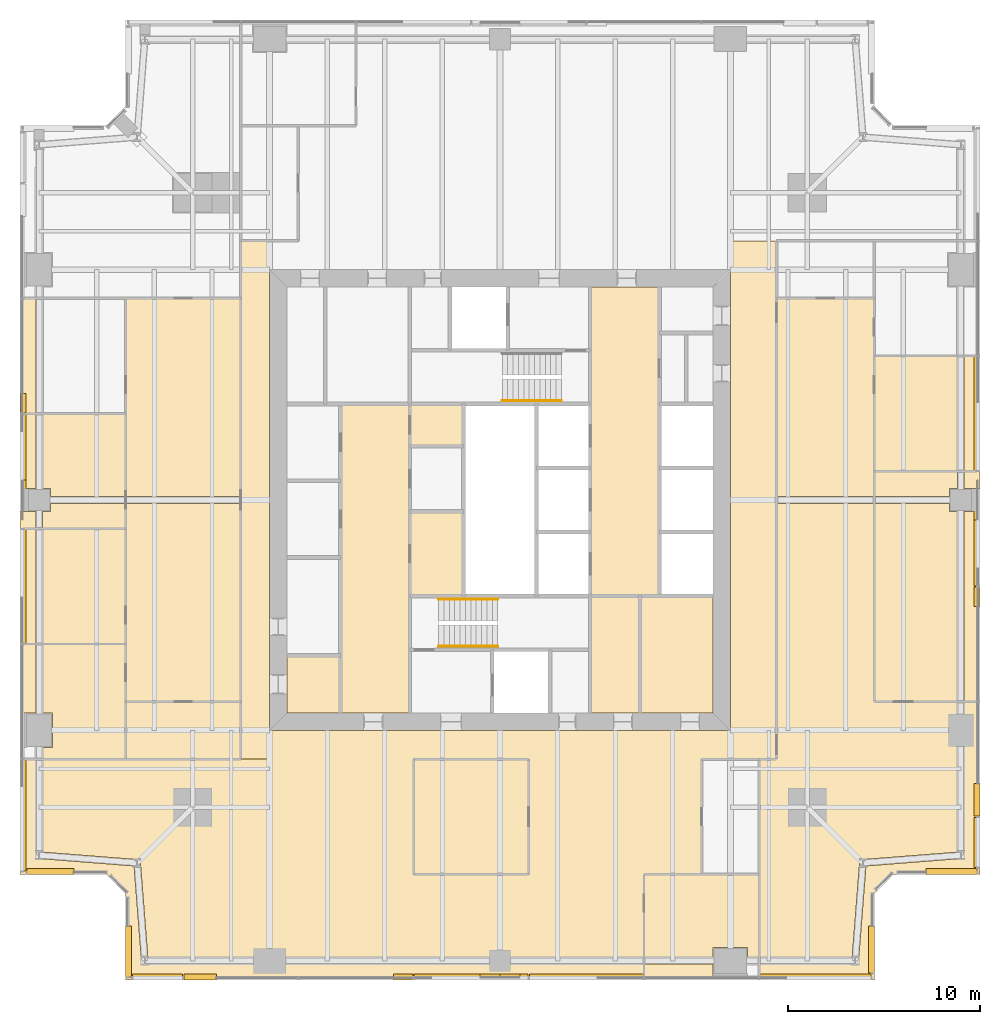
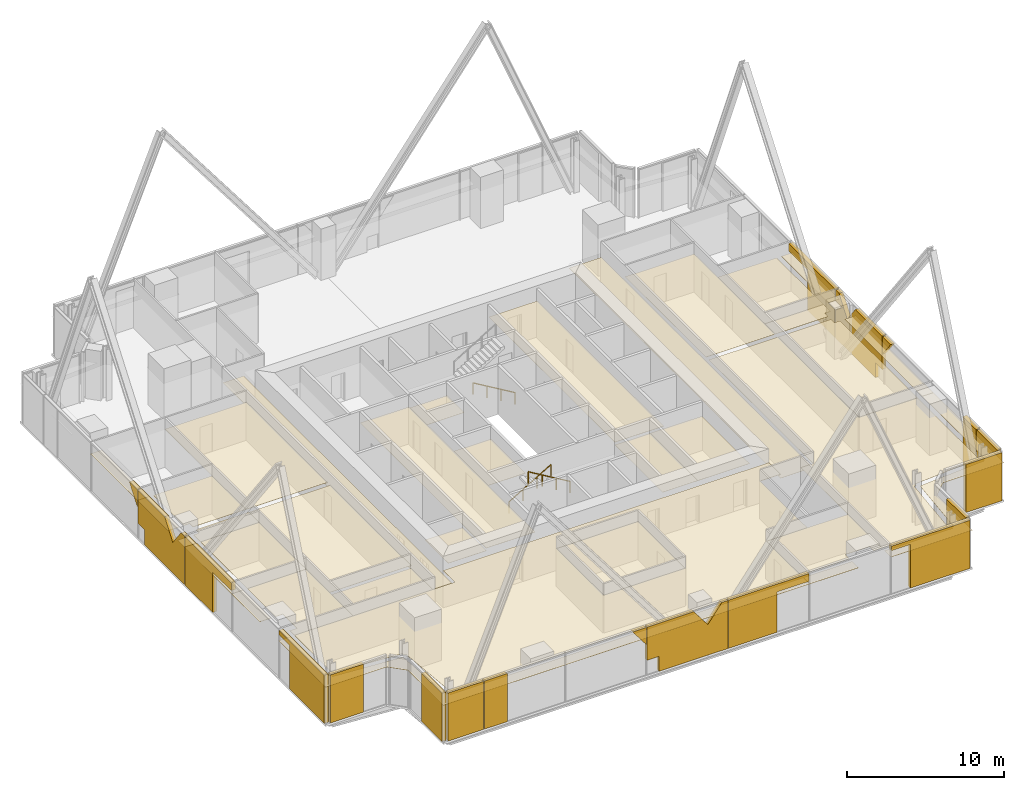
# One storey, part 13 of 14: 54 coverings, 3 railings.
"""IFC4 building model written with IfcOpenShell, lengths in metres."""

from ifc_helpers import new_model, si_unit, direction, frame, origin, origin_2d, place, context, subcontext, project, spatial, polyline, circle, outline, extrude, material, layer, layer_set, type_object, element, save


model = new_model("IFC4")

# Units and contexts
model_context = context("Model", 3, precision=1e-05, world=origin(), true_north=direction((0.0, 1.0)))
body_context = subcontext(model_context, "Body", "Model", "MODEL_VIEW")
ifc_project = project(units=[si_unit("LENGTHUNIT", "METRE"), si_unit("AREAUNIT", "SQUARE_METRE"), si_unit("VOLUMEUNIT", "CUBIC_METRE"), si_unit("PLANEANGLEUNIT", "RADIAN"), si_unit("MASSUNIT", "GRAM", prefix="KILO")], contexts=[model_context])

# Site, building, storey
site_placement = place(None, origin())
site = spatial("IfcSite", under=ifc_project, at=site_placement, CompositionType="ELEMENT")
building_placement = place(site_placement, origin())
building = spatial("IfcBuilding", under=site, at=building_placement, Name="Fenwick Lantern Interchange", CompositionType="ELEMENT")
storey_placement = place(building_placement, frame((0.0, 0.0, 217.800048828125)))
storey = spatial("IfcBuildingStorey", under=building, at=storey_placement, Name="L51", CompositionType="ELEMENT", Elevation=217.800048828125)

# Coverings
ifc_material_1 = material(Name="Mineral fibre acoustic tile on suspended grid")
ifc_layer_1 = layer(ifc_material_1, 0.02001953125)
ifc_layer_set_1 = layer_set([ifc_layer_1], Name="ACOUSTIC TILE CEILING 20")
covering_type_1 = type_object("IfcCoveringType", Name="ACOUSTIC TILE CEILING 20", PredefinedType="CEILING", material=ifc_layer_set_1)
covering_1_placement = place(storey_placement, frame((0.0, 0.0, 2.699951171875)))
element("IfcCovering", 1, at=covering_1_placement, inside=storey, type_object=covering_type_1, Name="Mail room ceiling", PredefinedType="CEILING", context=body_context, shape_type="SweptSolid", body=[
    extrude(outline(polyline([(20.300048828125, 20.0), (23.10009765625, 20.0), (23.10009765625, 24.39990234375), (20.300048828125, 24.39990234375), (20.300048828125, 20.0)])), origin(), (0.0, 0.0, 1.0), 0.02001953125),
])
covering_2_placement = place(storey_placement, frame((0.0, 0.0, 2.89990234375)))
element("IfcCovering", 2, at=covering_2_placement, inside=storey, type_object=covering_type_1, Name="Open office ceiling", PredefinedType="CEILING", context=body_context, shape_type="SweptSolid", body=[
    extrude(outline(polyline([(32.5, 5.5), (35.5, 5.5), (35.5, 11.5), (37.0, 11.5), (37.0, 13.0), (13.0, 13.0), (13.0, 11.5), (1.17236328125, 11.5), (1.17236328125, 6.659423828125), (6.113525390625, 6.27197265625), (6.10009765625, 6.10009765625), (6.27197265625, 6.113525390625), (6.659423828125, 1.17236328125), (13.0, 1.17236328125), (25.0, 1.17236328125), (32.5, 1.17236328125), (32.5, 5.5)]), holes=[polyline([(20.5, 11.5), (26.5, 11.5), (26.5, 5.5), (20.5, 5.5), (20.5, 11.5)])]), origin(), (0.0, 0.0, 1.0), 0.02001953125),
])
covering_3_placement = place(storey_placement, frame((0.0, 0.0, 2.89990234375)))
element("IfcCovering", 3, at=covering_3_placement, inside=storey, type_object=covering_type_1, Name="Open office ceiling", PredefinedType="CEILING", context=body_context, shape_type="SweptSolid", body=[
    extrude(outline(polyline([(32.5, 0.0), (32.5, 0.82763671875), (25.0, 0.82763671875), (13.0, 0.82763671875), (6.5, 0.82763671875), (6.5, 1.0), (6.328125, 0.986572265625), (5.939697265625, 5.939697265625), (0.986572265625, 6.328125), (1.0, 6.5), (0.82763671875, 6.5), (0.82763671875, 11.5), (0.0, 11.5), (0.0, 5.5), (4.5, 5.5), (5.5, 4.5), (5.5, 0.0), (32.5, 0.0)])), origin(), (0.0, 0.0, 1.0), 0.02001953125),
])
covering_4_placement = place(storey_placement, frame((0.0, 0.0, 2.89990234375)))
element("IfcCovering", 4, at=covering_4_placement, inside=storey, type_object=covering_type_1, Name="Meeting room ceiling", PredefinedType="CEILING", context=body_context, shape_type="SweptSolid", body=[
    extrude(outline(polyline([(20.5, 5.5), (26.5, 5.5), (26.5, 11.5), (20.5, 11.5), (20.5, 5.5)])), origin(), (0.0, 0.0, 1.0), 0.02001953125),
])
covering_5_placement = place(storey_placement, frame((0.0, 0.0, 2.89990234375)))
element("IfcCovering", 5, at=covering_5_placement, inside=storey, type_object=covering_type_1, Name="Office ceiling", PredefinedType="CEILING", context=body_context, shape_type="SweptSolid", body=[
    extrude(outline(polyline([(32.5, 5.5), (32.5, 1.17236328125), (36.10009765625, 1.17236328125), (36.10009765625, 1.699951171875), (37.89990234375, 1.699951171875), (37.89990234375, 1.17236328125), (38.5, 1.17236328125), (38.5, 5.5), (32.5, 5.5)])), origin(), (0.0, 0.0, 1.0), 0.02001953125),
])
covering_6_placement = place(storey_placement, frame((0.0, 0.0, 2.89990234375)))
element("IfcCovering", 6, at=covering_6_placement, inside=storey, type_object=covering_type_1, Name="Office ceiling", PredefinedType="CEILING", context=body_context, shape_type="SweptSolid", body=[
    extrude(outline(polyline([(32.5, 0.82763671875), (32.5, 0.0), (36.10009765625, 0.0), (36.10009765625, 0.82763671875), (32.5, 0.82763671875)])), origin(), (0.0, 0.0, 1.0), 0.02001953125),
])
covering_7_placement = place(storey_placement, frame((0.0, 0.0, 2.89990234375)))
element("IfcCovering", 7, at=covering_7_placement, inside=storey, type_object=covering_type_1, Name="Board meeting room ceiling", PredefinedType="CEILING", context=body_context, shape_type="SweptSolid", body=[
    extrude(outline(polyline([(44.5, 24.824951171875), (44.5, 14.5), (48.82763671875, 14.5), (48.82763671875, 24.39990234375), (48.39990234375, 24.39990234375), (48.39990234375, 24.824951171875), (44.5, 24.824951171875)])), origin(), (0.0, 0.0, 1.0), 0.02001953125),
])
covering_8_placement = place(storey_placement, frame((0.0, 0.0, 2.89990234375)))
element("IfcCovering", 8, at=covering_8_placement, inside=storey, type_object=covering_type_1, Name="Board meeting room ceiling", PredefinedType="CEILING", context=body_context, shape_type="SweptSolid", body=[
    extrude(outline(polyline([(50.0, 24.39990234375), (49.17236328125, 24.39990234375), (49.17236328125, 14.5), (50.0, 14.5), (50.0, 24.39990234375)])), origin(), (0.0, 0.0, 1.0), 0.02001953125),
])
covering_9_placement = place(storey_placement, frame((0.0, 0.0, 2.89990234375)))
element("IfcCovering", 9, at=covering_9_placement, inside=storey, type_object=covering_type_1, Name="Board meeting room ceiling", PredefinedType="CEILING", context=body_context, shape_type="SweptSolid", body=[
    extrude(outline(polyline([(44.5, 26.5), (44.5, 25.175048828125), (48.39990234375, 25.175048828125), (48.39990234375, 25.60009765625), (48.82763671875, 25.60009765625), (48.82763671875, 26.5), (44.5, 26.5)])), origin(), (0.0, 0.0, 1.0), 0.02001953125),
])
covering_10_placement = place(storey_placement, frame((0.0, 0.0, 2.89990234375)))
element("IfcCovering", 10, at=covering_10_placement, inside=storey, type_object=covering_type_1, Name="Board meeting room ceiling", PredefinedType="CEILING", context=body_context, shape_type="SweptSolid", body=[
    extrude(outline(polyline([(50.0, 26.5), (49.17236328125, 26.5), (49.17236328125, 25.60009765625), (50.0, 25.60009765625), (50.0, 26.5)])), origin(), (0.0, 0.0, 1.0), 0.02001953125),
])
covering_11_placement = place(storey_placement, frame((0.0, 0.0, 2.89990234375)))
element("IfcCovering", 11, at=covering_11_placement, inside=storey, type_object=covering_type_1, Name="Office ceiling", PredefinedType="CEILING", context=body_context, shape_type="SweptSolid", body=[
    extrude(outline(polyline([(44.5, 26.5), (48.82763671875, 26.5), (48.82763671875, 32.5), (44.5, 32.5), (44.5, 26.5)])), origin(), (0.0, 0.0, 1.0), 0.02001953125),
])
covering_12_placement = place(storey_placement, frame((0.0, 0.0, 2.89990234375)))
element("IfcCovering", 12, at=covering_12_placement, inside=storey, type_object=covering_type_1, Name="Office ceiling", PredefinedType="CEILING", context=body_context, shape_type="SweptSolid", body=[
    extrude(outline(polyline([(50.0, 32.5), (49.17236328125, 32.5), (49.17236328125, 26.5), (50.0, 26.5), (50.0, 32.5)])), origin(), (0.0, 0.0, 1.0), 0.02001953125),
])
covering_13_placement = place(storey_placement, frame((0.0, 0.0, 2.89990234375)))
element("IfcCovering", 13, at=covering_13_placement, inside=storey, type_object=covering_type_1, Name="Open office ceiling", PredefinedType="CEILING", context=body_context, shape_type="SweptSolid", body=[
    extrude(outline(polyline([(11.5, 14.5), (11.5, 24.824951171875), (5.5, 24.824951171875), (5.5, 14.5), (11.5, 14.5)])), origin(), (0.0, 0.0, 1.0), 0.02001953125),
])
covering_14_placement = place(storey_placement, frame((0.0, 0.0, 2.89990234375)))
element("IfcCovering", 14, at=covering_14_placement, inside=storey, type_object=covering_type_1, Name="Open office ceiling", PredefinedType="CEILING", context=body_context, shape_type="SweptSolid", body=[
    extrude(outline(polyline([(11.5, 25.175048828125), (11.5, 35.5), (5.5, 35.5), (5.5, 25.175048828125), (11.5, 25.175048828125)])), origin(), (0.0, 0.0, 1.0), 0.02001953125),
])
covering_15_placement = place(storey_placement, frame((0.0, 0.0, 2.89990234375)))
element("IfcCovering", 15, at=covering_15_placement, inside=storey, type_object=covering_type_1, Name="Office ceiling", PredefinedType="CEILING", context=body_context, shape_type="SweptSolid", body=[
    extrude(outline(polyline([(0.0, 29.5), (0.82763671875, 29.5), (0.82763671875, 35.5), (0.0, 35.5), (0.0, 29.5)])), origin(), (0.0, 0.0, 1.0), 0.02001953125),
])
covering_16_placement = place(storey_placement, frame((0.0, 0.0, 2.89990234375)))
element("IfcCovering", 16, at=covering_16_placement, inside=storey, type_object=covering_type_1, Name="Office ceiling", PredefinedType="CEILING", context=body_context, shape_type="SweptSolid", body=[
    extrude(outline(polyline([(5.5, 29.5), (1.17236328125, 29.5), (1.17236328125, 25.60009765625), (1.60009765625, 25.60009765625), (1.60009765625, 25.175048828125), (5.5, 25.175048828125), (5.5, 29.5)])), origin(), (0.0, 0.0, 1.0), 0.02001953125),
])
covering_17_placement = place(storey_placement, frame((0.0, 0.0, 2.89990234375)))
element("IfcCovering", 17, at=covering_17_placement, inside=storey, type_object=covering_type_1, Name="Office ceiling", PredefinedType="CEILING", context=body_context, shape_type="SweptSolid", body=[
    extrude(outline(polyline([(5.5, 23.5), (5.5, 24.824951171875), (1.60009765625, 24.824951171875), (1.60009765625, 24.39990234375), (1.17236328125, 24.39990234375), (1.17236328125, 23.5), (5.5, 23.5)])), origin(), (0.0, 0.0, 1.0), 0.02001953125),
])
covering_18_placement = place(storey_placement, frame((0.0, 0.0, 2.89990234375)))
element("IfcCovering", 18, at=covering_18_placement, inside=storey, type_object=covering_type_1, Name="Office ceiling", PredefinedType="CEILING", context=body_context, shape_type="SweptSolid", body=[
    extrude(outline(polyline([(0.82763671875, 29.5), (0.0, 29.5), (0.0, 25.60009765625), (0.82763671875, 25.60009765625), (0.82763671875, 29.5)])), origin(), (0.0, 0.0, 1.0), 0.02001953125),
])
covering_19_placement = place(storey_placement, frame((0.0, 0.0, 2.89990234375)))
element("IfcCovering", 19, at=covering_19_placement, inside=storey, type_object=covering_type_1, Name="Office ceiling", PredefinedType="CEILING", context=body_context, shape_type="SweptSolid", body=[
    extrude(outline(polyline([(0.0, 23.5), (0.82763671875, 23.5), (0.82763671875, 24.39990234375), (0.0, 24.39990234375), (0.0, 23.5)])), origin(), (0.0, 0.0, 1.0), 0.02001953125),
])
covering_20_placement = place(storey_placement, frame((0.0, 0.0, 2.89990234375)))
element("IfcCovering", 20, at=covering_20_placement, inside=storey, type_object=covering_type_1, Name="Office ceiling", PredefinedType="CEILING", context=body_context, shape_type="SweptSolid", body=[
    extrude(outline(polyline([(5.5, 23.5), (1.17236328125, 23.5), (1.17236328125, 17.5), (5.5, 17.5), (5.5, 23.5)])), origin(), (0.0, 0.0, 1.0), 0.02001953125),
])
covering_21_placement = place(storey_placement, frame((0.0, 0.0, 2.89990234375)))
element("IfcCovering", 21, at=covering_21_placement, inside=storey, type_object=covering_type_1, Name="Office ceiling", PredefinedType="CEILING", context=body_context, shape_type="SweptSolid", body=[
    extrude(outline(polyline([(0.0, 17.5), (0.82763671875, 17.5), (0.82763671875, 23.5), (0.0, 23.5), (0.0, 17.5)])), origin(), (0.0, 0.0, 1.0), 0.02001953125),
])
covering_22_placement = place(storey_placement, frame((0.0, 0.0, 2.89990234375)))
element("IfcCovering", 22, at=covering_22_placement, inside=storey, type_object=covering_type_1, Name="Office ceiling", PredefinedType="CEILING", context=body_context, shape_type="SweptSolid", body=[
    extrude(outline(polyline([(5.5, 17.5), (1.17236328125, 17.5), (1.17236328125, 13.89990234375), (1.699951171875, 13.89990234375), (1.699951171875, 12.10009765625), (1.17236328125, 12.10009765625), (1.17236328125, 11.5), (5.5, 11.5), (5.5, 17.5)])), origin(), (0.0, 0.0, 1.0), 0.02001953125),
])
covering_23_placement = place(storey_placement, frame((0.0, 0.0, 2.89990234375)))
element("IfcCovering", 23, at=covering_23_placement, inside=storey, type_object=covering_type_1, Name="Office ceiling", PredefinedType="CEILING", context=body_context, shape_type="SweptSolid", body=[
    extrude(outline(polyline([(0.82763671875, 17.5), (0.0, 17.5), (0.0, 13.89990234375), (0.82763671875, 13.89990234375), (0.82763671875, 17.5)])), origin(), (0.0, 0.0, 1.0), 0.02001953125),
])
ifc_material_2 = material(Name="Granite cladding, warm grey flamed finish, on aluminium carrier frame", Category="masonry")
ifc_layer_2 = layer(ifc_material_2, 0.300048828125)
ifc_layer_set_2 = layer_set([ifc_layer_2], Name="BRACE CASING PANEL 300")
covering_type_2 = type_object("IfcCoveringType", Name="BRACE CASING PANEL 300", PredefinedType="CLADDING", material=ifc_layer_set_2)
covering_24_placement = place(storey_placement, frame((5.60009765625, 0.10009765625, 0.0), z_axis=(0.0, 0.0, 1.0), x_axis=(1.0, 0.0, 0.0)))
element("IfcCovering", 24, at=covering_24_placement, inside=storey, type_object=covering_type_2, Name="Brace casing 01 bay 00a", PredefinedType="CLADDING", context=body_context, shape_type="SweptSolid", body=[
    extrude(outline(polyline([(0.264892578125, 0.0), (2.867431640625, 0.0), (2.867431640625, 3.75), (0.264892578125, 3.75), (0.264892578125, 0.0)])), frame((0.0, 0.2001953125, 0.0), z_axis=(0.0, -1.0, 0.0), x_axis=(1.0, 0.0, 0.0)), (0.0, 0.0, 1.0), 0.300048828125),
])
covering_25_placement = place(storey_placement, frame((5.60009765625, 0.10009765625, 0.0), z_axis=(0.0, 0.0, 1.0), x_axis=(1.0, 0.0, 0.0)))
element("IfcCovering", 25, at=covering_25_placement, inside=storey, type_object=covering_type_2, Name="Brace casing 01 bay 01a", PredefinedType="CLADDING", context=body_context, shape_type="SweptSolid", body=[
    extrude(outline(polyline([(2.9326171875, 0.0), (4.6279296875, 0.0), (4.6279296875, 3.75), (2.9326171875, 3.75), (2.9326171875, 0.0)])), frame((0.0, 0.2001953125, 0.0), z_axis=(0.0, -1.0, 0.0), x_axis=(1.0, 0.0, 0.0)), (0.0, 0.0, 1.0), 0.300048828125),
])
covering_26_placement = place(storey_placement, frame((5.60009765625, 0.10009765625, 2.40771484375), z_axis=(0.0, 0.0, 1.0), x_axis=(1.0, 0.0, 0.0)))
element("IfcCovering", 26, at=covering_26_placement, inside=storey, type_object=covering_type_2, Name="Brace casing 01 bay 02a", PredefinedType="CLADDING", context=body_context, shape_type="SweptSolid", body=[
    extrude(outline(polyline([(14.867431640625, 0.0), (14.867431640625, 1.34228515625), (13.853515625, 1.34228515625), (14.867431640625, 0.0)])), frame((0.0, 0.2001953125, 0.0), z_axis=(0.0, -1.0, 0.0), x_axis=(1.0, 0.0, 0.0)), (0.0, 0.0, 1.0), 0.300048828125),
])
covering_27_placement = place(storey_placement, frame((5.60009765625, 0.10009765625, 0.0), z_axis=(0.0, 0.0, 1.0), x_axis=(1.0, 0.0, 0.0)))
element("IfcCovering", 27, at=covering_27_placement, inside=storey, type_object=covering_type_2, Name="Brace casing 01 bay 03a", PredefinedType="CLADDING", context=body_context, shape_type="SweptSolid", body=[
    extrude(outline(polyline([(15.8076171875, 0.0), (20.867431640625, 0.0), (20.867431640625, 3.75), (20.434814453125, 3.75), (19.39990234375, 2.380126953125), (18.365234375, 3.75), (14.9326171875, 3.75), (14.9326171875, 1.163330078125), (15.8076171875, 1.163330078125), (15.8076171875, 0.0)])), frame((0.0, 0.2001953125, 0.0), z_axis=(0.0, -1.0, 0.0), x_axis=(1.0, 0.0, 0.0)), (0.0, 0.0, 1.0), 0.300048828125),
])
covering_28_placement = place(storey_placement, frame((5.60009765625, 0.10009765625, 0.0), z_axis=(0.0, 0.0, 1.0), x_axis=(1.0, 0.0, 0.0)))
element("IfcCovering", 28, at=covering_28_placement, inside=storey, type_object=covering_type_2, Name="Brace casing 01 bay 04a", PredefinedType="CLADDING", context=body_context, shape_type="SweptSolid", body=[
    extrude(outline(polyline([(20.9326171875, 0.0), (24.48876953125, 0.0), (24.48876953125, 3.143798828125), (26.867431640625, 3.143798828125), (26.867431640625, 3.75), (20.9326171875, 3.75), (20.9326171875, 0.0)])), frame((0.0, 0.2001953125, 0.0), z_axis=(0.0, -1.0, 0.0), x_axis=(1.0, 0.0, 0.0)), (0.0, 0.0, 1.0), 0.300048828125),
])
covering_29_placement = place(storey_placement, frame((5.60009765625, 0.10009765625, 0.0), z_axis=(0.0, 0.0, 1.0), x_axis=(1.0, 0.0, 0.0)))
element("IfcCovering", 29, at=covering_29_placement, inside=storey, type_object=covering_type_2, Name="Brace casing 01 bay 06a", PredefinedType="CLADDING", context=body_context, shape_type="SweptSolid", body=[
    extrude(outline(polyline([(34.317626953125, 0.0), (38.735107421875, 0.0), (38.735107421875, 3.75), (32.9326171875, 3.75), (32.9326171875, 3.39599609375), (34.317626953125, 3.39599609375), (34.317626953125, 0.0)])), frame((0.0, 0.2001953125, 0.0), z_axis=(0.0, -1.0, 0.0), x_axis=(1.0, 0.0, 0.0)), (0.0, 0.0, 1.0), 0.300048828125),
])
covering_30_placement = place(storey_placement, frame((44.39990234375, 0.10009765625, 0.0), z_axis=(0.0, 0.0, 1.0), x_axis=(0.0, 1.0, 0.0)))
element("IfcCovering", 30, at=covering_30_placement, inside=storey, type_object=covering_type_2, Name="Brace casing 02 bay 00a", PredefinedType="CLADDING", context=body_context, shape_type="SweptSolid", body=[
    extrude(outline(polyline([(0.264892578125, 0.0), (2.699951171875, 0.0), (2.699951171875, 3.75), (0.264892578125, 3.75), (0.264892578125, 0.0)])), frame((0.0, 0.2001953125, 0.0), z_axis=(0.0, -1.0, 0.0), x_axis=(1.0, 0.0, 0.0)), (0.0, 0.0, 1.0), 0.300048828125),
])
covering_31_placement = place(storey_placement, frame((45.45849609375, 5.60009765625, 0.0), z_axis=(0.0, 0.0, 1.0), x_axis=(1.0, 0.0, 0.0)))
element("IfcCovering", 31, at=covering_31_placement, inside=storey, type_object=covering_type_2, Name="Brace casing 04 bay 00a", PredefinedType="CLADDING", context=body_context, shape_type="SweptSolid", body=[
    extrude(outline(polyline([(1.741455078125, 0.0), (4.37646484375, 0.0), (4.37646484375, 3.75), (1.741455078125, 3.75), (1.741455078125, 0.0)])), frame((0.0, 0.2001953125, 0.0), z_axis=(0.0, -1.0, 0.0), x_axis=(1.0, 0.0, 0.0)), (0.0, 0.0, 1.0), 0.300048828125),
])
covering_32_placement = place(storey_placement, frame((49.89990234375, 5.60009765625, 0.0), z_axis=(0.0, 0.0, 1.0), x_axis=(0.0, 1.0, 0.0)))
element("IfcCovering", 32, at=covering_32_placement, inside=storey, type_object=covering_type_2, Name="Brace casing 05 bay 00a", PredefinedType="CLADDING", context=body_context, shape_type="SweptSolid", body=[
    extrude(outline(polyline([(0.264892578125, 0.0), (2.867431640625, 0.0), (2.867431640625, 3.75), (0.264892578125, 3.75), (0.264892578125, 0.0)])), frame((0.0, 0.2001953125, 0.0), z_axis=(0.0, -1.0, 0.0), x_axis=(1.0, 0.0, 0.0)), (0.0, 0.0, 1.0), 0.300048828125),
])
covering_33_placement = place(storey_placement, frame((49.89990234375, 5.60009765625, 0.0), z_axis=(0.0, 0.0, 1.0), x_axis=(0.0, 1.0, 0.0)))
element("IfcCovering", 33, at=covering_33_placement, inside=storey, type_object=covering_type_2, Name="Brace casing 05 bay 01a", PredefinedType="CLADDING", context=body_context, shape_type="SweptSolid", body=[
    extrude(outline(polyline([(2.9326171875, 0.0), (4.6279296875, 0.0), (4.6279296875, 3.75), (2.9326171875, 3.75), (2.9326171875, 0.0)])), frame((0.0, 0.2001953125, 0.0), z_axis=(0.0, -1.0, 0.0), x_axis=(1.0, 0.0, 0.0)), (0.0, 0.0, 1.0), 0.300048828125),
])
covering_34_placement = place(storey_placement, frame((49.89990234375, 5.60009765625, 2.40771484375), z_axis=(0.0, 0.0, 1.0), x_axis=(0.0, 1.0, 0.0)))
element("IfcCovering", 34, at=covering_34_placement, inside=storey, type_object=covering_type_2, Name="Brace casing 05 bay 02a", PredefinedType="CLADDING", context=body_context, shape_type="SweptSolid", body=[
    extrude(outline(polyline([(14.867431640625, 0.0), (14.867431640625, 1.34228515625), (13.853515625, 1.34228515625), (14.867431640625, 0.0)])), frame((0.0, 0.2001953125, 0.0), z_axis=(0.0, -1.0, 0.0), x_axis=(1.0, 0.0, 0.0)), (0.0, 0.0, 1.0), 0.300048828125),
])
covering_35_placement = place(storey_placement, frame((49.89990234375, 5.60009765625, 0.0), z_axis=(0.0, 0.0, 1.0), x_axis=(0.0, 1.0, 0.0)))
element("IfcCovering", 35, at=covering_35_placement, inside=storey, type_object=covering_type_2, Name="Brace casing 05 bay 03a", PredefinedType="CLADDING", context=body_context, shape_type="SweptSolid", body=[
    extrude(outline(polyline([(15.8076171875, 0.0), (20.867431640625, 0.0), (20.867431640625, 3.75), (20.434814453125, 3.75), (19.39990234375, 2.380126953125), (18.365234375, 3.75), (14.9326171875, 3.75), (14.9326171875, 1.163330078125), (15.8076171875, 1.163330078125), (15.8076171875, 0.0)])), frame((0.0, 0.2001953125, 0.0), z_axis=(0.0, -1.0, 0.0), x_axis=(1.0, 0.0, 0.0)), (0.0, 0.0, 1.0), 0.300048828125),
])
covering_36_placement = place(storey_placement, frame((49.89990234375, 5.60009765625, 0.0), z_axis=(0.0, 0.0, 1.0), x_axis=(0.0, 1.0, 0.0)))
element("IfcCovering", 36, at=covering_36_placement, inside=storey, type_object=covering_type_2, Name="Brace casing 05 bay 04a", PredefinedType="CLADDING", context=body_context, shape_type="SweptSolid", body=[
    extrude(outline(polyline([(20.9326171875, 0.0), (24.48876953125, 0.0), (24.48876953125, 3.143798828125), (26.867431640625, 3.143798828125), (26.867431640625, 3.75), (20.9326171875, 3.75), (20.9326171875, 0.0)])), frame((0.0, 0.2001953125, 0.0), z_axis=(0.0, -1.0, 0.0), x_axis=(1.0, 0.0, 0.0)), (0.0, 0.0, 1.0), 0.300048828125),
])
covering_37_placement = place(storey_placement, frame((0.10009765625, 44.39990234375, 2.40771484375), z_axis=(0.0, 0.0, 1.0), x_axis=(0.0, -1.0, 0.0)))
element("IfcCovering", 37, at=covering_37_placement, inside=storey, type_object=covering_type_2, Name="Brace casing 13 bay 02a", PredefinedType="CLADDING", context=body_context, shape_type="SweptSolid", body=[
    extrude(outline(polyline([(14.867431640625, 0.0), (14.867431640625, 1.34228515625), (13.853515625, 1.34228515625), (14.867431640625, 0.0)])), frame((0.0, 0.2001953125, 0.0), z_axis=(0.0, -1.0, 0.0), x_axis=(1.0, 0.0, 0.0)), (0.0, 0.0, 1.0), 0.300048828125),
])
covering_38_placement = place(storey_placement, frame((0.10009765625, 44.39990234375, 0.0), z_axis=(0.0, 0.0, 1.0), x_axis=(0.0, -1.0, 0.0)))
element("IfcCovering", 38, at=covering_38_placement, inside=storey, type_object=covering_type_2, Name="Brace casing 13 bay 03a", PredefinedType="CLADDING", context=body_context, shape_type="SweptSolid", body=[
    extrude(outline(polyline([(15.8076171875, 0.0), (20.867431640625, 0.0), (20.867431640625, 3.75), (20.434814453125, 3.75), (19.39990234375, 2.380126953125), (18.365234375, 3.75), (14.9326171875, 3.75), (14.9326171875, 1.163330078125), (15.8076171875, 1.163330078125), (15.8076171875, 0.0)])), frame((0.0, 0.2001953125, 0.0), z_axis=(0.0, -1.0, 0.0), x_axis=(1.0, 0.0, 0.0)), (0.0, 0.0, 1.0), 0.300048828125),
])
covering_39_placement = place(storey_placement, frame((0.10009765625, 44.39990234375, 0.0), z_axis=(0.0, 0.0, 1.0), x_axis=(0.0, -1.0, 0.0)))
element("IfcCovering", 39, at=covering_39_placement, inside=storey, type_object=covering_type_2, Name="Brace casing 13 bay 04a", PredefinedType="CLADDING", context=body_context, shape_type="SweptSolid", body=[
    extrude(outline(polyline([(20.9326171875, 0.0), (24.48876953125, 0.0), (24.48876953125, 3.143798828125), (26.867431640625, 3.143798828125), (26.867431640625, 3.75), (20.9326171875, 3.75), (20.9326171875, 0.0)])), frame((0.0, 0.2001953125, 0.0), z_axis=(0.0, -1.0, 0.0), x_axis=(1.0, 0.0, 0.0)), (0.0, 0.0, 1.0), 0.300048828125),
])
covering_40_placement = place(storey_placement, frame((0.10009765625, 44.39990234375, 0.0), z_axis=(0.0, 0.0, 1.0), x_axis=(0.0, -1.0, 0.0)))
element("IfcCovering", 40, at=covering_40_placement, inside=storey, type_object=covering_type_2, Name="Brace casing 13 bay 06a", PredefinedType="CLADDING", context=body_context, shape_type="SweptSolid", body=[
    extrude(outline(polyline([(34.317626953125, 0.0), (38.735107421875, 0.0), (38.735107421875, 3.75), (32.9326171875, 3.75), (32.9326171875, 3.39599609375), (34.317626953125, 3.39599609375), (34.317626953125, 0.0)])), frame((0.0, 0.2001953125, 0.0), z_axis=(0.0, -1.0, 0.0), x_axis=(1.0, 0.0, 0.0)), (0.0, 0.0, 1.0), 0.300048828125),
])
covering_41_placement = place(storey_placement, frame((0.10009765625, 5.60009765625, 0.0), z_axis=(0.0, 0.0, 1.0), x_axis=(1.0, 0.0, 0.0)))
element("IfcCovering", 41, at=covering_41_placement, inside=storey, type_object=covering_type_2, Name="Brace casing 14 bay 00a", PredefinedType="CLADDING", context=body_context, shape_type="SweptSolid", body=[
    extrude(outline(polyline([(0.264892578125, 0.0), (2.699951171875, 0.0), (2.699951171875, 3.75), (0.264892578125, 3.75), (0.264892578125, 0.0)])), frame((0.0, 0.2001953125, 0.0), z_axis=(0.0, -1.0, 0.0), x_axis=(1.0, 0.0, 0.0)), (0.0, 0.0, 1.0), 0.300048828125),
])
covering_42_placement = place(storey_placement, frame((5.60009765625, 4.54150390625, 0.0), z_axis=(0.0, 0.0, 1.0), x_axis=(0.0, -1.0, 0.0)))
element("IfcCovering", 42, at=covering_42_placement, inside=storey, type_object=covering_type_2, Name="Brace casing 16 bay 00a", PredefinedType="CLADDING", context=body_context, shape_type="SweptSolid", body=[
    extrude(outline(polyline([(1.741455078125, 0.0), (4.37646484375, 0.0), (4.37646484375, 3.75), (1.741455078125, 3.75), (1.741455078125, 0.0)])), frame((0.0, 0.2001953125, 0.0), z_axis=(0.0, -1.0, 0.0), x_axis=(1.0, 0.0, 0.0)), (0.0, 0.0, 1.0), 0.300048828125),
])

# Railings
ifc_material_3 = material(Name="Stainless steel handrail", Category="steel")
railing_type = type_object("IfcRailingType", Name="HANDRAIL 900", PredefinedType="HANDRAIL", material=ifc_material_3)
railing_placement = place(storey_placement, frame((21.800048828125, 19.825927734375, 0.16650390625)))
element("IfcRailing", 43, at=railing_placement, inside=storey, type_object=railing_type, Name="L51/STAIR/ST1/HR1", PredefinedType="HANDRAIL", context=body_context, shape_type="SweptSolid", body=[
    extrude(circle(Radius=0.02392578125, at=origin_2d()), frame((0.0, 0.0, 0.8759765625), z_axis=(0.859260807169, 0.0, 0.511537745687), x_axis=(0.0, 1.0, 0.0)), (0.0, 0.0, 1.0), 3.584228515625),
    extrude(circle(Radius=0.02099609375, at=origin_2d()), origin(), (0.0, 0.0, 1.0), 0.851806640625),
    extrude(circle(Radius=0.02099609375, at=origin_2d()), frame((1.026611328125, 0.0, 0.611083984375)), (0.0, 0.0, 1.0), 0.851806640625),
    extrude(circle(Radius=0.02099609375, at=origin_2d()), frame((2.05322265625, 0.0, 1.222412109375)), (0.0, 0.0, 1.0), 0.851806640625),
    extrude(circle(Radius=0.02099609375, at=origin_2d()), frame((3.079833984375, 0.0, 1.83349609375)), (0.0, 0.0, 1.0), 0.851806640625),
])
for number, where, name in (
    (44, (24.8798828125, 17.3740234375, 2.16650390625), "L51/STAIR/ST1/HR2"),
    (45, (28.199951171875, 30.174072265625, 0.16650390625), "L51/STAIR/ST2/HR1"),
):
    element("IfcRailing", number, at=place(storey_placement, frame(where)), inside=storey, type_object=railing_type, Name=name, PredefinedType="HANDRAIL", context=body_context, shape_type="SweptSolid", body=[
        extrude(circle(Radius=0.02392578125, at=origin_2d()), frame((0.0, 0.0, 0.8759765625), z_axis=(-0.859260807169, 0.0, 0.511537745687), x_axis=(0.0, -1.0, 0.0)), (0.0, 0.0, 1.0), 3.584228515625),
        extrude(circle(Radius=0.02099609375, at=origin_2d()), origin(), (0.0, 0.0, 1.0), 0.851806640625),
        extrude(circle(Radius=0.02099609375, at=origin_2d()), frame((-1.026611328125, 0.0, 0.611083984375)), (0.0, 0.0, 1.0), 0.851806640625),
        extrude(circle(Radius=0.02099609375, at=origin_2d()), frame((-2.05322265625, 0.0, 1.222412109375)), (0.0, 0.0, 1.0), 0.851806640625),
        extrude(circle(Radius=0.02099609375, at=origin_2d()), frame((-3.079833984375, 0.0, 1.83349609375)), (0.0, 0.0, 1.0), 0.851806640625),
    ])

# Coverings
ifc_material_4 = material(Name="Moisture resistant gypsum board on suspended frame, painted")
ifc_layer_3 = layer(ifc_material_4, 0.014892578125)
ifc_layer_set_3 = layer_set([ifc_layer_3], Name="MOISTURE RESISTANT CEILING 15")
covering_type_3 = type_object("IfcCoveringType", Name="MOISTURE RESISTANT CEILING 15", PredefinedType="CEILING", material=ifc_layer_set_3)
covering_43_placement = place(storey_placement, frame((0.0, 0.0, 2.599853515625)))
element("IfcCovering", 46, at=covering_43_placement, inside=storey, type_object=covering_type_3, Name="Men's WC ceiling", PredefinedType="CEILING", context=body_context, shape_type="SweptSolid", body=[
    extrude(outline(polyline([(29.699951171875, 13.89990234375), (32.300048828125, 13.89990234375), (32.300048828125, 20.0), (29.699951171875, 20.0), (29.699951171875, 13.89990234375)])), origin(), (0.0, 0.0, 1.0), 0.01513671875),
])
covering_44_placement = place(storey_placement, frame((0.0, 0.0, 2.599853515625)))
element("IfcCovering", 47, at=covering_44_placement, inside=storey, type_object=covering_type_3, Name="Women's WC ceiling", PredefinedType="CEILING", context=body_context, shape_type="SweptSolid", body=[
    extrude(outline(polyline([(32.300048828125, 13.89990234375), (36.10009765625, 13.89990234375), (36.10009765625, 20.0), (32.300048828125, 20.0), (32.300048828125, 13.89990234375)])), origin(), (0.0, 0.0, 1.0), 0.01513671875),
])
covering_45_placement = place(storey_placement, frame((0.0, 0.0, 2.599853515625)))
element("IfcCovering", 48, at=covering_45_placement, inside=storey, type_object=covering_type_3, Name="Accessible WC ceiling", PredefinedType="CEILING", context=body_context, shape_type="SweptSolid", body=[
    extrude(outline(polyline([(13.89990234375, 13.89990234375), (16.699951171875, 13.89990234375), (16.699951171875, 16.89990234375), (13.89990234375, 16.89990234375), (13.89990234375, 13.89990234375)])), origin(), (0.0, 0.0, 1.0), 0.01513671875),
])
covering_46_placement = place(storey_placement, frame((0.0, 0.0, 2.699951171875)))
element("IfcCovering", 49, at=covering_46_placement, inside=storey, type_object=covering_type_3, Name="Pantry ceiling", PredefinedType="CEILING", context=body_context, shape_type="SweptSolid", body=[
    extrude(outline(polyline([(20.300048828125, 27.800048828125), (23.10009765625, 27.800048828125), (23.10009765625, 30.0), (20.300048828125, 30.0), (20.300048828125, 27.800048828125)])), origin(), (0.0, 0.0, 1.0), 0.014892578125),
])
covering_47_placement = place(storey_placement, frame((0.0, 0.0, 2.699951171875)))
element("IfcCovering", 50, at=covering_47_placement, inside=storey, type_object=covering_type_3, Name="Pantry ceiling", PredefinedType="CEILING", context=body_context, shape_type="SweptSolid", body=[
    extrude(outline(polyline([(5.5, 14.5), (5.5, 11.5), (11.5, 11.5), (11.5, 14.5), (5.5, 14.5)])), origin(), (0.0, 0.0, 1.0), 0.014892578125),
])
ifc_material_5 = material(Name="Gypsum plasterboard on suspended frame, painted")
ifc_layer_4 = layer(ifc_material_5, 0.014892578125)
ifc_layer_set_4 = layer_set([ifc_layer_4], Name="PLASTERBOARD CEILING 15")
covering_type_4 = type_object("IfcCoveringType", Name="PLASTERBOARD CEILING 15", PredefinedType="CEILING", material=ifc_layer_set_4)
covering_48_placement = place(storey_placement, frame((0.0, 0.0, 2.800048828125)))
element("IfcCovering", 51, at=covering_48_placement, inside=storey, type_object=covering_type_4, Name="Lift lobby ceiling", PredefinedType="CEILING", context=body_context, shape_type="SweptSolid", body=[
    extrude(outline(polyline([(16.699951171875, 13.89990234375), (20.300048828125, 13.89990234375), (20.300048828125, 30.0), (16.699951171875, 30.0), (16.699951171875, 13.89990234375)])), origin(), (0.0, 0.0, 1.0), 0.014892578125),
])
covering_49_placement = place(storey_placement, frame((0.0, 0.0, 2.800048828125)))
element("IfcCovering", 52, at=covering_49_placement, inside=storey, type_object=covering_type_4, Name="Lift lobby ceiling", PredefinedType="CEILING", context=body_context, shape_type="SweptSolid", body=[
    extrude(outline(polyline([(33.300048828125, 36.10009765625), (29.699951171875, 36.10009765625), (29.699951171875, 20.0), (33.300048828125, 20.0), (33.300048828125, 36.10009765625)])), origin(), (0.0, 0.0, 1.0), 0.014892578125),
])
covering_50_placement = place(storey_placement, frame((0.0, 0.0, 2.599853515625)))
element("IfcCovering", 53, at=covering_50_placement, inside=storey, type_object=covering_type_4, Name="Corridor ceiling", PredefinedType="CEILING", context=body_context, shape_type="SweptSolid", body=[
    extrude(outline(polyline([(13.0, 38.5), (11.5, 38.5), (11.5, 11.5), (13.0, 11.5), (13.0, 38.5)])), origin(), (0.0, 0.0, 1.0), 0.01513671875),
])
covering_51_placement = place(storey_placement, frame((0.0, 0.0, 2.89990234375)))
element("IfcCovering", 54, at=covering_51_placement, inside=storey, type_object=covering_type_4, Name="Executive lounge ceiling", PredefinedType="CEILING", context=body_context, shape_type="SweptSolid", body=[
    extrude(outline(polyline([(38.5, 11.5), (38.5, 1.17236328125), (43.340576171875, 1.17236328125), (43.72802734375, 6.113525390625), (43.89990234375, 6.10009765625), (43.886474609375, 6.27197265625), (48.82763671875, 6.659423828125), (48.82763671875, 13.0), (48.82763671875, 14.5), (44.5, 14.5), (44.5, 24.824951171875), (39.39990234375, 24.824951171875), (39.39990234375, 11.5), (38.5, 11.5)])), origin(), (0.0, 0.0, 1.0), 0.01513671875),
])
covering_52_placement = place(storey_placement, frame((0.0, 0.0, 2.89990234375)))
element("IfcCovering", 55, at=covering_52_placement, inside=storey, type_object=covering_type_4, Name="Executive lounge ceiling", PredefinedType="CEILING", context=body_context, shape_type="SweptSolid", body=[
    extrude(outline(polyline([(39.39990234375, 35.5), (39.39990234375, 25.175048828125), (44.5, 25.175048828125), (44.5, 35.5), (39.39990234375, 35.5)])), origin(), (0.0, 0.0, 1.0), 0.01513671875),
])
covering_53_placement = place(storey_placement, frame((0.0, 0.0, 2.89990234375)))
element("IfcCovering", 56, at=covering_53_placement, inside=storey, type_object=covering_type_4, Name="Executive lounge ceiling", PredefinedType="CEILING", context=body_context, shape_type="SweptSolid", body=[
    extrude(outline(polyline([(38.5, 0.82763671875), (38.5, 0.0), (44.5, 0.0), (44.5, 4.5), (45.5, 5.5), (50.0, 5.5), (50.0, 14.5), (49.17236328125, 14.5), (49.17236328125, 13.0), (49.17236328125, 6.5), (49.0, 6.5), (49.013427734375, 6.328125), (44.060302734375, 5.939697265625), (43.671875, 0.986572265625), (43.5, 1.0), (43.5, 0.82763671875), (38.5, 0.82763671875)])), origin(), (0.0, 0.0, 1.0), 0.01513671875),
])
covering_54_placement = place(storey_placement, frame((0.0, 0.0, 2.599853515625)))
element("IfcCovering", 57, at=covering_54_placement, inside=storey, type_object=covering_type_4, Name="Corridor ceiling", PredefinedType="CEILING", context=body_context, shape_type="SweptSolid", body=[
    extrude(outline(polyline([(39.39990234375, 38.5), (37.0, 38.5), (37.0, 11.5), (39.39990234375, 11.5), (39.39990234375, 38.5)])), origin(), (0.0, 0.0, 1.0), 0.01513671875),
])

save(model, "model.ifc")
